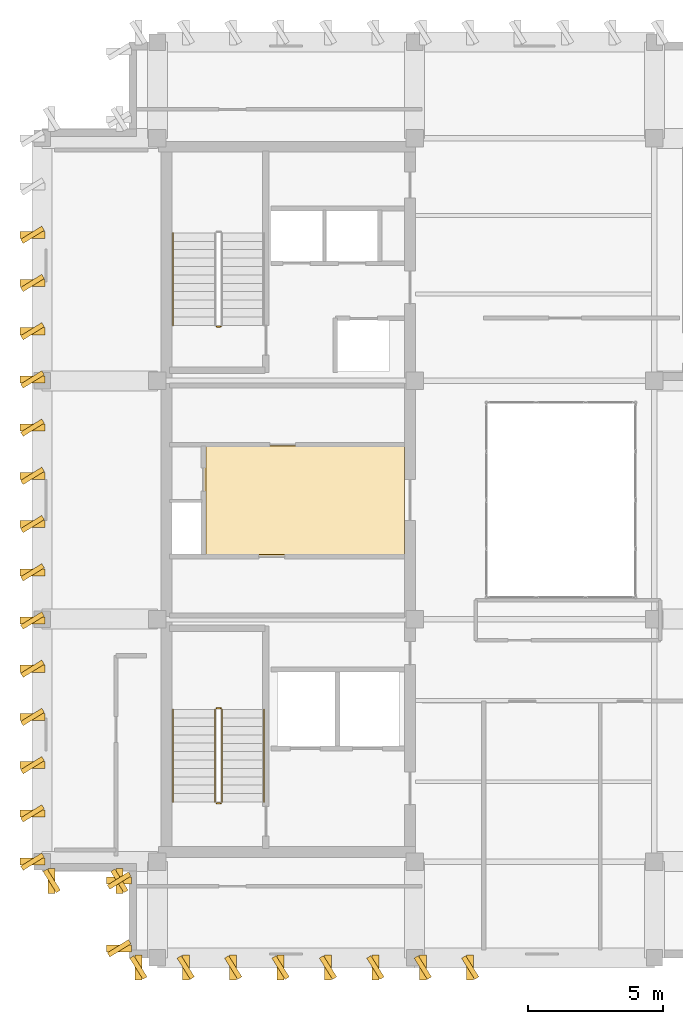
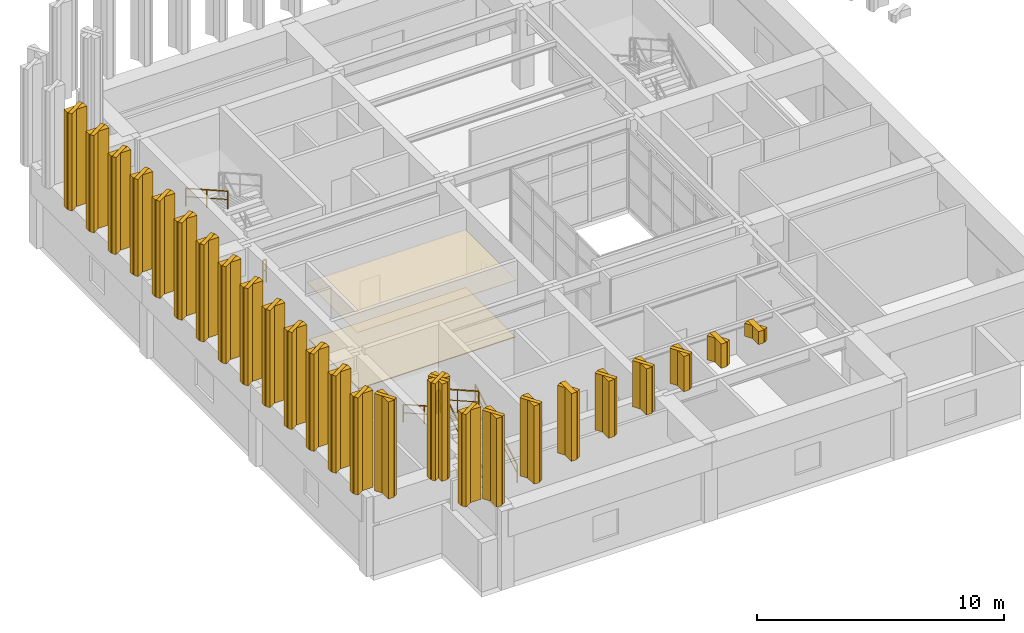
# One storey, part 9 of 11: 28 coverings, 26 shading devices, 8 railings.
"""IFC4 building model written with IfcOpenShell, lengths in metres."""

import ifcopenshell
import ifcopenshell.guid

model = None  # the IFC model being written
_history = None  # IfcOwnerHistory: only IFC2X3 demands one
_inside = {}  # id of a spatial element -> (the spatial element, [elements in it])
_under = {}  # id of a project, library or spatial element -> (it, [spatial elements below it])
_declared = {}  # id of a project -> (the project, [libraries it declares])
_typed = {}  # id of a type object -> (the type object, [elements of that type])
_made_of = {}  # id of a material, layer set ... -> (it, [elements and type objects made of it])


def new_model(schema):
    """Start an empty IFC model of exactly this schema.

    Asked for "IFC4X3", IfcOpenShell would pick the latest addendum, in which some entities
    have other attributes; the version numbers below select the first issue.
    IFC2X3 requires an IfcOwnerHistory on every rooted entity: one is made here for all.
    """
    global model, _history
    if schema == "IFC4X3":
        model = ifcopenshell.file(schema_version=(4, 3, 0, 0))
    else:
        model = ifcopenshell.file(schema=schema)
    _inside.clear()
    _under.clear()
    _declared.clear()
    _typed.clear()
    _made_of.clear()
    _history = None
    if model.schema == "IFC2X3":
        org = make("IfcOrganization", Name="unknown")
        user = make(
            "IfcPersonAndOrganization",
            ThePerson=make("IfcPerson", FamilyName="unknown"),
            TheOrganization=org,
        )
        app = make(
            "IfcApplication",
            ApplicationDeveloper=org,
            Version="unknown",
            ApplicationFullName="unknown",
            ApplicationIdentifier="unknown",
        )
        _history = make(
            "IfcOwnerHistory",
            OwningUser=user,
            OwningApplication=app,
            ChangeAction="ADDED",
            CreationDate=0,
        )
    return model


def make(cls, **values):
    """One entity of the class cls with the attributes given. An attribute that is None is left unset."""
    return model.create_entity(
        cls, **{name: value for name, value in values.items() if value is not None}
    )


def rooted(cls, **values):
    """An entity with a GlobalId (a new one), such as an element, a storey or a relation."""
    return make(cls, GlobalId=ifcopenshell.guid.new(), OwnerHistory=_history, **values)


def si_unit(unit_type, name, prefix=None):
    """IfcSIUnit, for example si_unit("LENGTHUNIT", "METRE", prefix="MILLI")."""
    return make("IfcSIUnit", UnitType=unit_type, Prefix=prefix, Name=name)


def assignment(units):
    """IfcUnitAssignment: the units of a project."""
    return None if units is None else make("IfcUnitAssignment", Units=units)


def point(xyz):
    """IfcCartesianPoint."""
    return None if xyz is None else make("IfcCartesianPoint", Coordinates=xyz)


def direction(xyz):
    """IfcDirection."""
    return None if xyz is None else make("IfcDirection", DirectionRatios=xyz)


def frame(location, z_axis=None, x_axis=None):
    """IfcAxis2Placement3D, a coordinate frame: its origin and axes. An axis left out is left unset."""
    return make(
        "IfcAxis2Placement3D",
        Location=point(location),
        Axis=direction(z_axis),
        RefDirection=direction(x_axis),
    )


def frame_2d(location, x_axis=None):
    """IfcAxis2Placement2D, a coordinate frame in the plane: its origin and x axis."""
    return make(
        "IfcAxis2Placement2D", Location=point(location), RefDirection=direction(x_axis)
    )


def origin():
    """The frame at (0, 0, 0) with its axes left unset."""
    return frame((0.0, 0.0, 0.0))


def origin_2d():
    """The frame at (0, 0) in the plane with its x axis left unset."""
    return frame_2d((0.0, 0.0))


def place(relative_to, where):
    """IfcLocalPlacement: puts the frame where relative to a parent placement (None: the world)."""
    return make(
        "IfcLocalPlacement", PlacementRelTo=relative_to, RelativePlacement=where
    )


def context(
    kind, dimensions, precision=None, world=None, true_north=None, identifier=None
):
    """IfcGeometricRepresentationContext, for example the 3D "Model" context."""
    return make(
        "IfcGeometricRepresentationContext",
        ContextIdentifier=identifier,
        ContextType=kind,
        CoordinateSpaceDimension=dimensions,
        Precision=precision,
        WorldCoordinateSystem=world,
        TrueNorth=true_north,
    )


def subcontext(parent, identifier, kind, view, scale=None):
    """IfcGeometricRepresentationSubContext, for example "Body" below "Model"."""
    return make(
        "IfcGeometricRepresentationSubContext",
        ContextIdentifier=identifier,
        ContextType=kind,
        ParentContext=parent,
        TargetScale=scale,
        TargetView=view,
    )


def project(units=None, contexts=None):
    """IfcProject with its units and contexts."""
    return rooted(
        "IfcProject",
        Name="project",
        RepresentationContexts=contexts,
        UnitsInContext=assignment(units),
    )


def spatial(cls, under=None, at=None, **own):
    """A site, building, storey or space (cls), placed at a placement, below another one or the project."""
    s = rooted(cls, ObjectPlacement=at, **own)
    if under is not None:
        _under.setdefault(under.id(), (under, []))[1].append(s)
    return s


def polyline(points):
    """IfcPolyline through the points."""
    return make("IfcPolyline", Points=[point(p) for p in points])


def profile(cls, at=None, kind="AREA", **sizes):
    """A parametric profile (cls). Its sizes go by their IFC names, for example OverallWidth=200.0."""
    return make(cls, ProfileType=kind, Position=at, **sizes)


def rectangle(**sizes):
    """IfcRectangleProfileDef."""
    return profile("IfcRectangleProfileDef", **sizes)


def outline(outer, holes=None, kind="AREA"):
    """IfcArbitraryClosedProfileDef: a profile drawn as a closed curve; with holes, ...WithVoids."""
    if holes is None:
        return make("IfcArbitraryClosedProfileDef", ProfileType=kind, OuterCurve=outer)
    return make(
        "IfcArbitraryProfileDefWithVoids",
        ProfileType=kind,
        OuterCurve=outer,
        InnerCurves=holes,
    )


def extrude(swept, where, along, depth):
    """IfcExtrudedAreaSolid: the profile swept, set in the frame where, extruded along a direction by depth."""
    return make(
        "IfcExtrudedAreaSolid",
        SweptArea=swept,
        Position=where,
        ExtrudedDirection=direction(along),
        Depth=depth,
    )


def shape(context_of_items, identifier, shape_type, items):
    """IfcShapeRepresentation: the items that make up one representation, for example the "Body"."""
    return make(
        "IfcShapeRepresentation",
        ContextOfItems=context_of_items,
        RepresentationIdentifier=identifier,
        RepresentationType=shape_type,
        Items=items,
    )


def material(Name=None, Category=None):
    """IfcMaterial."""
    return make("IfcMaterial", Name=Name, Category=Category)


def layer(
    of_material, thickness, ventilated=None, Name=None, Category=None, Priority=None
):
    """IfcMaterialLayer: one layer of a wall or slab, of a material (None: an air gap)."""
    return make(
        "IfcMaterialLayer",
        Material=of_material,
        LayerThickness=thickness,
        IsVentilated=ventilated,
        Name=Name,
        Category=Category,
        Priority=Priority,
    )


def layer_set(layers, Name=None):
    """IfcMaterialLayerSet."""
    return make("IfcMaterialLayerSet", MaterialLayers=layers, LayerSetName=Name)


def made_of(thing, what):
    """Note that an element or type object is made of a material, layer set ...; save() writes the relation."""
    if what is not None:
        _made_of.setdefault(what.id(), (what, []))[1].append(thing)
    return thing


def type_object(cls, material=None, **own):
    """A type object (cls), such as IfcWallType, which elements share."""
    return made_of(rooted(cls, **own), material)


def element(
    cls,
    number,
    at=None,
    inside=None,
    cuts=None,
    type_object=None,
    material=None,
    context=None,
    identifier="Body",
    shape_type=None,
    held_by="IfcProductDefinitionShape",
    body=None,
    shapes=None,
    **own,
):
    """One element of the class cls, such as IfcWall. Its Tag is "e" and its number.

    at: its placement. inside: the storey or other place that contains it. cuts: it is an
    opening in that element (IfcRelVoidsElement). A single representation is given by context,
    identifier, shape_type and body (its items); several are given by shapes. held_by: the class
    of the entity that holds the representations. save() writes the other relations.
    """
    e = rooted(cls, Tag="e%d" % number, ObjectPlacement=at, **own)
    if body is not None:
        shapes = [shape(context, identifier, shape_type, body)]
    if shapes is not None:
        e.Representation = make(held_by, Representations=shapes)
    if inside is not None:
        _inside.setdefault(inside.id(), (inside, []))[1].append(e)
    if cuts is not None:
        rooted(
            "IfcRelVoidsElement", RelatingBuildingElement=cuts, RelatedOpeningElement=e
        )
    if type_object is not None:
        _typed.setdefault(type_object.id(), (type_object, []))[1].append(e)
    return made_of(e, material)


def aggregate(whole, parts):
    """IfcRelAggregates: a whole, such as a stair, and the parts it consists of."""
    return rooted("IfcRelAggregates", RelatingObject=whole, RelatedObjects=parts)


def save(model, path):
    """Write the relations noted so far, then the file.

    IfcRelAggregates (storeys below a building ...), IfcRelContainedInSpatialStructure (elements
    in a storey), IfcRelDefinesByType, IfcRelAssociatesMaterial and IfcRelDeclares: one each for
    every whole, place, type object, material and project.
    """
    for whole, parts in _under.values():
        aggregate(whole, parts)
    for where, things in _inside.values():
        rooted(
            "IfcRelContainedInSpatialStructure",
            RelatedElements=things,
            RelatingStructure=where,
        )
    for kind, things in _typed.values():
        rooted("IfcRelDefinesByType", RelatedObjects=things, RelatingType=kind)
    for what, things in _made_of.values():
        rooted("IfcRelAssociatesMaterial", RelatedObjects=things, RelatingMaterial=what)
    for by, libraries in _declared.values():
        rooted("IfcRelDeclares", RelatingContext=by, RelatedDefinitions=libraries)
    model.write(path)


model = new_model("IFC4")

# Units and contexts
model_context = context("Model", 3, precision=1e-05, world=origin(), true_north=direction((0.0, 1.0)))
body_context = subcontext(model_context, "Body", "Model", "MODEL_VIEW")
ifc_project = project(units=[si_unit("LENGTHUNIT", "METRE"), si_unit("AREAUNIT", "SQUARE_METRE"), si_unit("VOLUMEUNIT", "CUBIC_METRE"), si_unit("PLANEANGLEUNIT", "RADIAN"), si_unit("MASSUNIT", "GRAM", prefix="KILO")], contexts=[model_context])

# Site, building, storey
site_placement = place(None, origin())
site = spatial("IfcSite", under=ifc_project, at=site_placement, CompositionType="ELEMENT")
building_placement = place(site_placement, origin())
building = spatial("IfcBuilding", under=site, at=building_placement, Name="Kundavana Baori Tower", CompositionType="ELEMENT")
storey_placement = place(building_placement, frame((0.0, 0.0, 350.5)))
storey = spatial("IfcBuildingStorey", under=building, at=storey_placement, Name="L87", CompositionType="ELEMENT", Elevation=350.5)

# Coverings
ifc_material_1 = material(Name="Honed Kota Stone and Terrazzo Flooring", Category="masonry")
ifc_layer_1 = layer(ifc_material_1, 0.0400390625, Name="COV-FLR-TERR-40")
ifc_layer_set_1 = layer_set([ifc_layer_1], Name="Honed Kota Stone and Terrazzo Flooring")
covering_type_1 = type_object("IfcCoveringType", Name="COV-FLR-TERR-40", PredefinedType="FLOORING", material=ifc_layer_set_1)
covering_1_placement = place(storey_placement, origin())
element("IfcCovering", 1, at=covering_1_placement, inside=storey, type_object=covering_type_1, Name="L87 Core Lift Lobby Kota Stone Flooring", PredefinedType="FLOORING", context=body_context, shape_type="SweptSolid", body=[
    extrude(outline(polyline([(17.25, 26.580078125), (24.580078125, 26.580078125), (24.580078125, 30.60009765625), (17.25, 30.60009765625), (17.25, 26.580078125)])), origin(), (0.0, 0.0, 1.0), 0.0400390625),
])
ifc_material_2 = material(Name="Perforated Acoustic Mineral Fibre Ceiling Board")
ifc_layer_2 = layer(ifc_material_2, 0.02490234375, Name="COV-INT-CEIL")
ifc_layer_set_2 = layer_set([ifc_layer_2], Name="Perforated Acoustic Mineral Fibre Ceiling Board")
covering_type_2 = type_object("IfcCoveringType", Name="COV-INT-CEIL", PredefinedType="CEILING", material=ifc_layer_set_2)
covering_2_placement = place(storey_placement, frame((0.0, 0.0, 2.85009765625)))
element("IfcCovering", 2, at=covering_2_placement, inside=storey, type_object=covering_type_2, Name="L87 Core Lift Lobby Acoustic Ceiling", PredefinedType="CEILING", context=body_context, shape_type="SweptSolid", body=[
    extrude(outline(polyline([(17.159912109375, 26.52001953125), (24.580078125, 26.52001953125), (24.580078125, 30.639892578125), (17.159912109375, 30.639892578125), (17.159912109375, 26.52001953125)])), origin(), (0.0, 0.0, 1.0), 0.02490234375),
])
ifc_material_3 = material(Name="Cream-White Makrana Limestone on Concrete C40/50", Category="masonry")
ifc_layer_3 = layer(ifc_material_3, 0.239990234375, Name="COV-SAIL-FIN")
ifc_layer_set_3 = layer_set([ifc_layer_3], Name="Cream-White Makrana Limestone on Concrete C40/50")
covering_type_3 = type_object("IfcCoveringType", Name="COV-SAIL-FIN", PredefinedType="CLADDING", material=ifc_layer_set_3)
covering_3_placement = place(storey_placement, frame((0.0, 0.0, 4.6240234375)))
element("IfcCovering", 3, at=covering_3_placement, inside=storey, type_object=covering_type_3, Name="L87 Climbing Makrana White Limestone Sail Fin 001", PredefinedType="CLADDING", context=body_context, shape_type="SweptSolid", body=[
    extrude(outline(polyline([(14.6201171875, 10.8798828125), (14.8798828125, 10.8798828125), (14.8798828125, 11.800048828125), (14.6201171875, 11.800048828125), (14.6201171875, 10.8798828125)])), origin(), (0.0, 0.0, 1.0), 4.3759765625),
])
covering_4_placement = place(storey_placement, frame((0.0, 0.0, 5.1396484375)))
element("IfcCovering", 4, at=covering_4_placement, inside=storey, type_object=covering_type_3, Name="L87 Climbing Makrana White Limestone Sail Fin 002", PredefinedType="CLADDING", context=body_context, shape_type="SweptSolid", body=[
    extrude(outline(polyline([(16.3701171875, 10.8798828125), (16.6298828125, 10.8798828125), (16.6298828125, 11.800048828125), (16.3701171875, 11.800048828125), (16.3701171875, 10.8798828125)])), origin(), (0.0, 0.0, 1.0), 3.8603515625),
])
covering_5_placement = place(storey_placement, frame((0.0, 0.0, 5.660400390625)))
element("IfcCovering", 5, at=covering_5_placement, inside=storey, type_object=covering_type_3, Name="L87 Climbing Makrana White Limestone Sail Fin 003", PredefinedType="CLADDING", context=body_context, shape_type="SweptSolid", body=[
    extrude(outline(polyline([(18.1201171875, 10.8798828125), (18.3798828125, 10.8798828125), (18.3798828125, 11.800048828125), (18.1201171875, 11.800048828125), (18.1201171875, 10.8798828125)])), origin(), (0.0, 0.0, 1.0), 3.339599609375),
])
covering_6_placement = place(storey_placement, frame((0.0, 0.0, 6.186767578125)))
element("IfcCovering", 6, at=covering_6_placement, inside=storey, type_object=covering_type_3, Name="L87 Climbing Makrana White Limestone Sail Fin 004", PredefinedType="CLADDING", context=body_context, shape_type="SweptSolid", body=[
    extrude(outline(polyline([(19.8701171875, 10.8798828125), (20.1298828125, 10.8798828125), (20.1298828125, 11.800048828125), (19.8701171875, 11.800048828125), (19.8701171875, 10.8798828125)])), origin(), (0.0, 0.0, 1.0), 2.813232421875),
])
covering_7_placement = place(storey_placement, frame((0.0, 0.0, 6.71923828125)))
element("IfcCovering", 7, at=covering_7_placement, inside=storey, type_object=covering_type_3, Name="L87 Climbing Makrana White Limestone Sail Fin 005", PredefinedType="CLADDING", context=body_context, shape_type="SweptSolid", body=[
    extrude(outline(polyline([(21.6201171875, 10.8798828125), (21.8798828125, 10.8798828125), (21.8798828125, 11.800048828125), (21.6201171875, 11.800048828125), (21.6201171875, 10.8798828125)])), origin(), (0.0, 0.0, 1.0), 2.28076171875),
])
covering_8_placement = place(storey_placement, frame((0.0, 0.0, 7.25830078125)))
element("IfcCovering", 8, at=covering_8_placement, inside=storey, type_object=covering_type_3, Name="L87 Climbing Makrana White Limestone Sail Fin 006", PredefinedType="CLADDING", context=body_context, shape_type="SweptSolid", body=[
    extrude(outline(polyline([(23.3701171875, 10.8798828125), (23.6298828125, 10.8798828125), (23.6298828125, 11.800048828125), (23.3701171875, 11.800048828125), (23.3701171875, 10.8798828125)])), origin(), (0.0, 0.0, 1.0), 1.74169921875),
])
covering_9_placement = place(storey_placement, frame((0.0, 0.0, 7.804931640625)))
element("IfcCovering", 9, at=covering_9_placement, inside=storey, type_object=covering_type_3, Name="L87 Climbing Makrana White Limestone Sail Fin 007", PredefinedType="CLADDING", context=body_context, shape_type="SweptSolid", body=[
    extrude(outline(polyline([(25.1201171875, 10.8798828125), (25.3798828125, 10.8798828125), (25.3798828125, 11.800048828125), (25.1201171875, 11.800048828125), (25.1201171875, 10.8798828125)])), origin(), (0.0, 0.0, 1.0), 1.195068359375),
])
covering_10_placement = place(storey_placement, frame((0.0, 0.0, 8.359619140625)))
element("IfcCovering", 10, at=covering_10_placement, inside=storey, type_object=covering_type_3, Name="L87 Climbing Makrana White Limestone Sail Fin 008", PredefinedType="CLADDING", context=body_context, shape_type="SweptSolid", body=[
    extrude(outline(polyline([(26.8701171875, 10.8798828125), (27.1298828125, 10.8798828125), (27.1298828125, 11.800048828125), (26.8701171875, 11.800048828125), (26.8701171875, 10.8798828125)])), origin(), (0.0, 0.0, 1.0), 0.640380859375),
])
covering_11_placement = place(storey_placement, frame((0.0, 0.0, 4.199951171875)))
element("IfcCovering", 11, at=covering_11_placement, inside=storey, type_object=covering_type_3, Name="L87 Climbing Makrana White Limestone Sail Fin 061", PredefinedType="CLADDING", context=body_context, shape_type="SweptSolid", body=[
    extrude(outline(polyline([(10.3798828125, 38.260009765625), (11.300048828125, 38.260009765625), (11.300048828125, 38.52001953125), (10.3798828125, 38.52001953125), (10.3798828125, 38.260009765625)])), origin(), (0.0, 0.0, 1.0), 4.800048828125),
])
covering_12_placement = place(storey_placement, frame((0.0, 0.0, 4.199951171875)))
element("IfcCovering", 12, at=covering_12_placement, inside=storey, type_object=covering_type_3, Name="L87 Climbing Makrana White Limestone Sail Fin 062", PredefinedType="CLADDING", context=body_context, shape_type="SweptSolid", body=[
    extrude(outline(polyline([(10.3798828125, 36.47998046875), (11.300048828125, 36.47998046875), (11.300048828125, 36.739990234375), (10.3798828125, 36.739990234375), (10.3798828125, 36.47998046875)])), origin(), (0.0, 0.0, 1.0), 4.800048828125),
])
covering_13_placement = place(storey_placement, frame((0.0, 0.0, 4.199951171875)))
element("IfcCovering", 13, at=covering_13_placement, inside=storey, type_object=covering_type_3, Name="L87 Climbing Makrana White Limestone Sail Fin 063", PredefinedType="CLADDING", context=body_context, shape_type="SweptSolid", body=[
    extrude(outline(polyline([(10.3798828125, 34.699951171875), (11.300048828125, 34.699951171875), (11.300048828125, 34.9599609375), (10.3798828125, 34.9599609375), (10.3798828125, 34.699951171875)])), origin(), (0.0, 0.0, 1.0), 4.800048828125),
])
covering_14_placement = place(storey_placement, frame((0.0, 0.0, 4.199951171875)))
element("IfcCovering", 14, at=covering_14_placement, inside=storey, type_object=covering_type_3, Name="L87 Climbing Makrana White Limestone Sail Fin 064", PredefinedType="CLADDING", context=body_context, shape_type="SweptSolid", body=[
    extrude(outline(polyline([(10.3798828125, 32.919921875), (11.300048828125, 32.919921875), (11.300048828125, 33.179931640625), (10.3798828125, 33.179931640625), (10.3798828125, 32.919921875)])), origin(), (0.0, 0.0, 1.0), 4.800048828125),
])
covering_15_placement = place(storey_placement, frame((0.0, 0.0, 4.199951171875)))
element("IfcCovering", 15, at=covering_15_placement, inside=storey, type_object=covering_type_3, Name="L87 Climbing Makrana White Limestone Sail Fin 065", PredefinedType="CLADDING", context=body_context, shape_type="SweptSolid", body=[
    extrude(outline(polyline([(10.3798828125, 31.139892578125), (11.300048828125, 31.139892578125), (11.300048828125, 31.39990234375), (10.3798828125, 31.39990234375), (10.3798828125, 31.139892578125)])), origin(), (0.0, 0.0, 1.0), 4.800048828125),
])
covering_16_placement = place(storey_placement, frame((0.0, 0.0, 4.199951171875)))
element("IfcCovering", 16, at=covering_16_placement, inside=storey, type_object=covering_type_3, Name="L87 Climbing Makrana White Limestone Sail Fin 066", PredefinedType="CLADDING", context=body_context, shape_type="SweptSolid", body=[
    extrude(outline(polyline([(10.3798828125, 29.360107421875), (11.300048828125, 29.360107421875), (11.300048828125, 29.6201171875), (10.3798828125, 29.6201171875), (10.3798828125, 29.360107421875)])), origin(), (0.0, 0.0, 1.0), 4.800048828125),
])
covering_17_placement = place(storey_placement, frame((0.0, 0.0, 4.199951171875)))
element("IfcCovering", 17, at=covering_17_placement, inside=storey, type_object=covering_type_3, Name="L87 Climbing Makrana White Limestone Sail Fin 067", PredefinedType="CLADDING", context=body_context, shape_type="SweptSolid", body=[
    extrude(outline(polyline([(10.3798828125, 27.580078125), (11.300048828125, 27.580078125), (11.300048828125, 27.840087890625), (10.3798828125, 27.840087890625), (10.3798828125, 27.580078125)])), origin(), (0.0, 0.0, 1.0), 4.800048828125),
])
covering_18_placement = place(storey_placement, frame((0.0, 0.0, 4.199951171875)))
element("IfcCovering", 18, at=covering_18_placement, inside=storey, type_object=covering_type_3, Name="L87 Climbing Makrana White Limestone Sail Fin 068", PredefinedType="CLADDING", context=body_context, shape_type="SweptSolid", body=[
    extrude(outline(polyline([(10.3798828125, 25.800048828125), (11.300048828125, 25.800048828125), (11.300048828125, 26.06005859375), (10.3798828125, 26.06005859375), (10.3798828125, 25.800048828125)])), origin(), (0.0, 0.0, 1.0), 4.800048828125),
])
covering_19_placement = place(storey_placement, frame((0.0, 0.0, 4.199951171875)))
element("IfcCovering", 19, at=covering_19_placement, inside=storey, type_object=covering_type_3, Name="L87 Climbing Makrana White Limestone Sail Fin 069", PredefinedType="CLADDING", context=body_context, shape_type="SweptSolid", body=[
    extrude(outline(polyline([(10.3798828125, 24.02001953125), (11.300048828125, 24.02001953125), (11.300048828125, 24.280029296875), (10.3798828125, 24.280029296875), (10.3798828125, 24.02001953125)])), origin(), (0.0, 0.0, 1.0), 4.800048828125),
])
covering_20_placement = place(storey_placement, frame((0.0, 0.0, 4.199951171875)))
element("IfcCovering", 20, at=covering_20_placement, inside=storey, type_object=covering_type_3, Name="L87 Climbing Makrana White Limestone Sail Fin 070", PredefinedType="CLADDING", context=body_context, shape_type="SweptSolid", body=[
    extrude(outline(polyline([(10.3798828125, 22.239990234375), (11.300048828125, 22.239990234375), (11.300048828125, 22.5), (10.3798828125, 22.5), (10.3798828125, 22.239990234375)])), origin(), (0.0, 0.0, 1.0), 4.800048828125),
])
covering_21_placement = place(storey_placement, frame((0.0, 0.0, 4.199951171875)))
element("IfcCovering", 21, at=covering_21_placement, inside=storey, type_object=covering_type_3, Name="L87 Climbing Makrana White Limestone Sail Fin 071", PredefinedType="CLADDING", context=body_context, shape_type="SweptSolid", body=[
    extrude(outline(polyline([(10.3798828125, 20.4599609375), (11.300048828125, 20.4599609375), (11.300048828125, 20.719970703125), (10.3798828125, 20.719970703125), (10.3798828125, 20.4599609375)])), origin(), (0.0, 0.0, 1.0), 4.800048828125),
])
covering_22_placement = place(storey_placement, frame((0.0, 0.0, 4.199951171875)))
element("IfcCovering", 22, at=covering_22_placement, inside=storey, type_object=covering_type_3, Name="L87 Climbing Makrana White Limestone Sail Fin 072", PredefinedType="CLADDING", context=body_context, shape_type="SweptSolid", body=[
    extrude(outline(polyline([(10.3798828125, 18.679931640625), (11.300048828125, 18.679931640625), (11.300048828125, 18.93994140625), (10.3798828125, 18.93994140625), (10.3798828125, 18.679931640625)])), origin(), (0.0, 0.0, 1.0), 4.800048828125),
])
covering_23_placement = place(storey_placement, frame((0.0, 0.0, 4.199951171875)))
element("IfcCovering", 23, at=covering_23_placement, inside=storey, type_object=covering_type_3, Name="L87 Climbing Makrana White Limestone Sail Fin 073", PredefinedType="CLADDING", context=body_context, shape_type="SweptSolid", body=[
    extrude(outline(polyline([(10.3798828125, 16.89990234375), (11.300048828125, 16.89990234375), (11.300048828125, 17.159912109375), (10.3798828125, 17.159912109375), (10.3798828125, 16.89990234375)])), origin(), (0.0, 0.0, 1.0), 4.800048828125),
])
covering_24_placement = place(storey_placement, frame((0.0, 0.0, 4.199951171875)))
element("IfcCovering", 24, at=covering_24_placement, inside=storey, type_object=covering_type_3, Name="L87 Climbing Makrana White Limestone Sail Fin 074", PredefinedType="CLADDING", context=body_context, shape_type="SweptSolid", body=[
    extrude(outline(polyline([(10.3798828125, 15.1201171875), (11.300048828125, 15.1201171875), (11.300048828125, 15.3798828125), (10.3798828125, 15.3798828125), (10.3798828125, 15.1201171875)])), origin(), (0.0, 0.0, 1.0), 4.800048828125),
])
covering_25_placement = place(storey_placement, frame((0.0, 0.0, 4.199951171875)))
element("IfcCovering", 25, at=covering_25_placement, inside=storey, type_object=covering_type_3, Name="L87 Climbing Makrana White Limestone Sail Fin 075", PredefinedType="CLADDING", context=body_context, shape_type="SweptSolid", body=[
    extrude(outline(polyline([(11.419921875, 14.080078125), (11.679931640625, 14.080078125), (11.679931640625, 15.0), (11.419921875, 15.0), (11.419921875, 14.080078125)])), origin(), (0.0, 0.0, 1.0), 4.800048828125),
])
covering_26_placement = place(storey_placement, frame((0.0, 0.0, 4.199951171875)))
element("IfcCovering", 26, at=covering_26_placement, inside=storey, type_object=covering_type_3, Name="L87 Climbing Makrana White Limestone Sail Fin 076", PredefinedType="CLADDING", context=body_context, shape_type="SweptSolid", body=[
    extrude(outline(polyline([(13.919921875, 14.080078125), (14.179931640625, 14.080078125), (14.179931640625, 15.0), (13.919921875, 15.0), (13.919921875, 14.080078125)])), origin(), (0.0, 0.0, 1.0), 4.800048828125),
])
covering_27_placement = place(storey_placement, frame((0.0, 0.0, 4.199951171875)))
element("IfcCovering", 27, at=covering_27_placement, inside=storey, type_object=covering_type_3, Name="L87 Climbing Makrana White Limestone Sail Fin 077", PredefinedType="CLADDING", context=body_context, shape_type="SweptSolid", body=[
    extrude(outline(polyline([(13.580078125, 14.419921875), (14.5, 14.419921875), (14.5, 14.679931640625), (13.580078125, 14.679931640625), (13.580078125, 14.419921875)])), origin(), (0.0, 0.0, 1.0), 4.800048828125),
])
covering_28_placement = place(storey_placement, frame((0.0, 0.0, 4.42578125)))
element("IfcCovering", 28, at=covering_28_placement, inside=storey, type_object=covering_type_3, Name="L87 Climbing Makrana White Limestone Sail Fin 078", PredefinedType="CLADDING", context=body_context, shape_type="SweptSolid", body=[
    extrude(outline(polyline([(13.580078125, 11.919921875), (14.5, 11.919921875), (14.5, 12.179931640625), (13.580078125, 12.179931640625), (13.580078125, 11.919921875)])), origin(), (0.0, 0.0, 1.0), 4.57421875),
])

# Railings
ifc_material_4 = material(Name="Architectural Patinated Bronze Metalwork")
railing_type_1 = type_object("IfcRailingType", Name="RL-GRD-1150", PredefinedType="GUARDRAIL", material=ifc_material_4)
railing_1_placement = place(storey_placement, frame((17.840087890625, 17.449951171875, 0.175048828125)))
element("IfcRailing", 29, at=railing_1_placement, inside=storey, type_object=railing_type_1, Name="L87 ST1 stair guard 1", PredefinedType="GUARDRAIL", context=body_context, shape_type="SweptSolid", body=[
    extrude(rectangle(XDim=0.048095703125, YDim=0.048095703125, at=origin_2d()), frame((0.0, 0.0, 1.1259765625), z_axis=(0.0, 0.870828613776, 0.491586742528), x_axis=(-1.0, 0.0, 0.0)), (0.0, 0.0, 1.0), 3.916015625),
    extrude(rectangle(XDim=0.03125, YDim=0.03125, at=origin_2d()), frame((0.0, 0.0, 0.597900390625), z_axis=(0.0, 0.870828613776, 0.491586742528), x_axis=(-1.0, 0.0, 0.0)), (0.0, 0.0, 1.0), 3.916015625),
    extrude(rectangle(XDim=0.0419921875, YDim=0.0419921875, at=origin_2d()), origin(), (0.0, 0.0, 1.0), 1.101806640625),
    extrude(rectangle(XDim=0.0419921875, YDim=0.0419921875, at=origin_2d()), frame((0.0, 1.705078125, 0.96240234375)), (0.0, 0.0, 1.0), 1.101806640625),
    extrude(rectangle(XDim=0.0419921875, YDim=0.0419921875, at=origin_2d()), frame((0.0, 3.41015625, 1.925048828125)), (0.0, 0.0, 1.0), 1.101806640625),
])
railing_2_placement = place(storey_placement, frame((17.7900390625, 20.909912109375, 2.10009765625)))
element("IfcRailing", 30, at=railing_2_placement, inside=storey, type_object=railing_type_1, Name="L87 ST1 stair guard 2", PredefinedType="GUARDRAIL", context=body_context, shape_type="SweptSolid", body=[
    extrude(rectangle(XDim=0.048095703125, YDim=0.048095703125, at=origin_2d()), frame((0.0, 0.0, 1.1259765625), z_axis=(-1.0, 0.0, 0.0), x_axis=(0.0, -1.0, 0.0)), (0.0, 0.0, 1.0), 0.16015625),
    extrude(rectangle(XDim=0.03125, YDim=0.03125, at=origin_2d()), frame((0.0, 0.0, 0.597900390625), z_axis=(-1.0, 0.0, 0.0), x_axis=(0.0, -1.0, 0.0)), (0.0, 0.0, 1.0), 0.16015625),
    extrude(rectangle(XDim=0.0419921875, YDim=0.0419921875, at=origin_2d()), origin(), (0.0, 0.0, 1.0), 1.101806640625),
    extrude(rectangle(XDim=0.0419921875, YDim=0.0419921875, at=origin_2d()), frame((-0.16015625, 0.0, 0.0)), (0.0, 0.0, 1.0), 1.101806640625),
])
railing_3_placement = place(storey_placement, frame((17.580078125, 20.860107421875, 2.27490234375)))
element("IfcRailing", 31, at=railing_3_placement, inside=storey, type_object=railing_type_1, Name="L87 ST1 stair guard 3", PredefinedType="GUARDRAIL", context=body_context, shape_type="SweptSolid", body=[
    extrude(rectangle(XDim=0.048095703125, YDim=0.048095703125, at=origin_2d()), frame((0.0, 0.0, 1.1259765625), z_axis=(0.0, -0.870828613776, 0.491586742528), x_axis=(1.0, 0.0, 0.0)), (0.0, 0.0, 1.0), 3.916015625),
    extrude(rectangle(XDim=0.03125, YDim=0.03125, at=origin_2d()), frame((0.0, 0.0, 0.597900390625), z_axis=(0.0, -0.870828613776, 0.491586742528), x_axis=(1.0, 0.0, 0.0)), (0.0, 0.0, 1.0), 3.916015625),
    extrude(rectangle(XDim=0.0419921875, YDim=0.0419921875, at=origin_2d()), origin(), (0.0, 0.0, 1.0), 1.101806640625),
    extrude(rectangle(XDim=0.0419921875, YDim=0.0419921875, at=origin_2d()), frame((0.0, -1.705078125, 0.96240234375)), (0.0, 0.0, 1.0), 1.101806640625),
    extrude(rectangle(XDim=0.0419921875, YDim=0.0419921875, at=origin_2d()), frame((0.0, -3.41015625, 1.925048828125)), (0.0, 0.0, 1.0), 1.101806640625),
])
for number, where, name in (
    (32, (17.7900390625, 17.39990234375, 0.0), "L87 ST1 stair guard 4"),
    (33, (17.7900390625, 35.0, 0.0), "L87 ST2 stair guard 4"),
):
    element("IfcRailing", number, at=place(storey_placement, frame(where)), inside=storey, type_object=railing_type_1, Name=name, PredefinedType="GUARDRAIL", context=body_context, shape_type="SweptSolid", body=[
        extrude(rectangle(XDim=0.048095703125, YDim=0.048095703125, at=origin_2d()), frame((0.0, 0.0, 1.1259765625), z_axis=(-1.0, 0.0, 0.0), x_axis=(0.0, -1.0, 0.0)), (0.0, 0.0, 1.0), 0.16015625),
        extrude(rectangle(XDim=0.03125, YDim=0.03125, at=origin_2d()), frame((0.0, 0.0, 0.597900390625), z_axis=(-1.0, 0.0, 0.0), x_axis=(0.0, -1.0, 0.0)), (0.0, 0.0, 1.0), 0.16015625),
        extrude(rectangle(XDim=0.0419921875, YDim=0.0419921875, at=origin_2d()), origin(), (0.0, 0.0, 1.0), 1.101806640625),
        extrude(rectangle(XDim=0.0419921875, YDim=0.0419921875, at=origin_2d()), frame((-0.16015625, 0.0, 0.0)), (0.0, 0.0, 1.0), 1.101806640625),
    ])
ifc_material_5 = material(Name="Architectural Patinated Bronze Metalwork")
railing_type_2 = type_object("IfcRailingType", Name="RL-HND-920", PredefinedType="HANDRAIL", material=ifc_material_5)
railing_4_placement = place(storey_placement, frame((19.389892578125, 17.449951171875, 0.175048828125)))
element("IfcRailing", 34, at=railing_4_placement, inside=storey, type_object=railing_type_2, Name="L87 ST1 stair handrail 1", PredefinedType="HANDRAIL", context=body_context, shape_type="SweptSolid", body=[
    extrude(rectangle(XDim=0.048095703125, YDim=0.048095703125, at=origin_2d()), frame((0.0, 0.0, 0.8759765625), z_axis=(0.0, 0.870828613776, 0.491586742528), x_axis=(-1.0, 0.0, 0.0)), (0.0, 0.0, 1.0), 3.916015625),
    extrude(rectangle(XDim=0.03125, YDim=0.03125, at=origin_2d()), frame((0.0, 0.0, 0.468017578125), z_axis=(0.0, 0.870828613776, 0.491586742528), x_axis=(-1.0, 0.0, 0.0)), (0.0, 0.0, 1.0), 3.916015625),
    extrude(rectangle(XDim=0.0419921875, YDim=0.0419921875, at=origin_2d()), origin(), (0.0, 0.0, 1.0), 0.851806640625),
    extrude(rectangle(XDim=0.0419921875, YDim=0.0419921875, at=origin_2d()), frame((0.0, 1.705078125, 0.96240234375)), (0.0, 0.0, 1.0), 0.851806640625),
    extrude(rectangle(XDim=0.0419921875, YDim=0.0419921875, at=origin_2d()), frame((0.0, 3.41015625, 1.925048828125)), (0.0, 0.0, 1.0), 0.851806640625),
])
railing_5_placement = place(storey_placement, frame((16.030029296875, 20.860107421875, 2.27490234375)))
element("IfcRailing", 35, at=railing_5_placement, inside=storey, type_object=railing_type_2, Name="L87 ST1 stair handrail 2", PredefinedType="HANDRAIL", context=body_context, shape_type="SweptSolid", body=[
    extrude(rectangle(XDim=0.048095703125, YDim=0.048095703125, at=origin_2d()), frame((0.0, 0.0, 0.8759765625), z_axis=(0.0, -0.870828613776, 0.491586742528), x_axis=(1.0, 0.0, 0.0)), (0.0, 0.0, 1.0), 3.916015625),
    extrude(rectangle(XDim=0.03125, YDim=0.03125, at=origin_2d()), frame((0.0, 0.0, 0.468017578125), z_axis=(0.0, -0.870828613776, 0.491586742528), x_axis=(1.0, 0.0, 0.0)), (0.0, 0.0, 1.0), 3.916015625),
    extrude(rectangle(XDim=0.0419921875, YDim=0.0419921875, at=origin_2d()), origin(), (0.0, 0.0, 1.0), 0.851806640625),
    extrude(rectangle(XDim=0.0419921875, YDim=0.0419921875, at=origin_2d()), frame((0.0, -1.705078125, 0.96240234375)), (0.0, 0.0, 1.0), 0.851806640625),
    extrude(rectangle(XDim=0.0419921875, YDim=0.0419921875, at=origin_2d()), frame((0.0, -3.41015625, 1.925048828125)), (0.0, 0.0, 1.0), 0.851806640625),
])
railing_6_placement = place(storey_placement, frame((16.030029296875, 38.4599609375, 2.27490234375)))
element("IfcRailing", 36, at=railing_6_placement, inside=storey, type_object=railing_type_2, Name="L87 ST2 stair handrail 2", PredefinedType="HANDRAIL", context=body_context, shape_type="SweptSolid", body=[
    extrude(rectangle(XDim=0.048095703125, YDim=0.048095703125, at=origin_2d()), frame((0.0, 0.0, 0.8759765625), z_axis=(0.0, -0.87081354652, 0.491613432685), x_axis=(1.0, 0.0, 0.0)), (0.0, 0.0, 1.0), 3.915771484375),
    extrude(rectangle(XDim=0.03125, YDim=0.03125, at=origin_2d()), frame((0.0, 0.0, 0.468017578125), z_axis=(0.0, -0.87081354652, 0.491613432685), x_axis=(1.0, 0.0, 0.0)), (0.0, 0.0, 1.0), 3.915771484375),
    extrude(rectangle(XDim=0.0419921875, YDim=0.0419921875, at=origin_2d()), origin(), (0.0, 0.0, 1.0), 0.851806640625),
    extrude(rectangle(XDim=0.0419921875, YDim=0.0419921875, at=origin_2d()), frame((0.0, -1.705078125, 0.96240234375)), (0.0, 0.0, 1.0), 0.851806640625),
    extrude(rectangle(XDim=0.0419921875, YDim=0.0419921875, at=origin_2d()), frame((0.0, -3.409912109375, 1.925048828125)), (0.0, 0.0, 1.0), 0.851806640625),
])

# Shading devices
ifc_material_6 = material(Name="Red-Buff Dholpur Sandstone Cladding on Concrete C40/50", Category="masonry")
shading_device_type = type_object("IfcShadingDeviceType", Name="SHD-FIN-920", PredefinedType="JALOUSIE", material=ifc_material_6)
shading_device_1_placement = place(storey_placement, frame((14.75, 11.340087890625, 4.6240234375), z_axis=(0.0, 0.0, 1.0), x_axis=(0.848048096156, 0.529919264233, 0.0)))
element("IfcShadingDevice", 37, at=shading_device_1_placement, inside=storey, type_object=shading_device_type, Name="L87 Sweeping Makrana Limestone Crown Sail Blade 001", PredefinedType="JALOUSIE", context=body_context, shape_type="SweptSolid", body=[
    extrude(rectangle(XDim=0.179931640625, YDim=0.919921875, at=origin_2d()), origin(), (0.0, 0.0, 1.0), 4.3759765625),
])
shading_device_2_placement = place(storey_placement, frame((16.5, 11.340087890625, 5.1396484375), z_axis=(0.0, 0.0, 1.0), x_axis=(0.848048096156, 0.529919264233, 0.0)))
element("IfcShadingDevice", 38, at=shading_device_2_placement, inside=storey, type_object=shading_device_type, Name="L87 Sweeping Makrana Limestone Crown Sail Blade 002", PredefinedType="JALOUSIE", context=body_context, shape_type="SweptSolid", body=[
    extrude(rectangle(XDim=0.179931640625, YDim=0.919921875, at=origin_2d()), origin(), (0.0, 0.0, 1.0), 3.8603515625),
])
shading_device_3_placement = place(storey_placement, frame((18.25, 11.340087890625, 5.66015625), z_axis=(0.0, 0.0, 1.0), x_axis=(0.848048096156, 0.529919264233, 0.0)))
element("IfcShadingDevice", 39, at=shading_device_3_placement, inside=storey, type_object=shading_device_type, Name="L87 Sweeping Makrana Limestone Crown Sail Blade 003", PredefinedType="JALOUSIE", context=body_context, shape_type="SweptSolid", body=[
    extrude(rectangle(XDim=0.179931640625, YDim=0.919921875, at=origin_2d()), origin(), (0.0, 0.0, 1.0), 3.339599609375),
])
shading_device_4_placement = place(storey_placement, frame((20.0, 11.340087890625, 6.18701171875), z_axis=(0.0, 0.0, 1.0), x_axis=(0.848048096156, 0.529919264233, 0.0)))
element("IfcShadingDevice", 40, at=shading_device_4_placement, inside=storey, type_object=shading_device_type, Name="L87 Sweeping Makrana Limestone Crown Sail Blade 004", PredefinedType="JALOUSIE", context=body_context, shape_type="SweptSolid", body=[
    extrude(rectangle(XDim=0.179931640625, YDim=0.919921875, at=origin_2d()), origin(), (0.0, 0.0, 1.0), 2.813232421875),
])
shading_device_5_placement = place(storey_placement, frame((21.75, 11.340087890625, 6.71923828125), z_axis=(0.0, 0.0, 1.0), x_axis=(0.848048096156, 0.529919264233, 0.0)))
element("IfcShadingDevice", 41, at=shading_device_5_placement, inside=storey, type_object=shading_device_type, Name="L87 Sweeping Makrana Limestone Crown Sail Blade 005", PredefinedType="JALOUSIE", context=body_context, shape_type="SweptSolid", body=[
    extrude(rectangle(XDim=0.179931640625, YDim=0.919921875, at=origin_2d()), origin(), (0.0, 0.0, 1.0), 2.28076171875),
])
shading_device_6_placement = place(storey_placement, frame((23.5, 11.340087890625, 7.25830078125), z_axis=(0.0, 0.0, 1.0), x_axis=(0.848048096156, 0.529919264233, 0.0)))
element("IfcShadingDevice", 42, at=shading_device_6_placement, inside=storey, type_object=shading_device_type, Name="L87 Sweeping Makrana Limestone Crown Sail Blade 006", PredefinedType="JALOUSIE", context=body_context, shape_type="SweptSolid", body=[
    extrude(rectangle(XDim=0.179931640625, YDim=0.919921875, at=origin_2d()), origin(), (0.0, 0.0, 1.0), 1.74169921875),
])
shading_device_7_placement = place(storey_placement, frame((25.25, 11.340087890625, 7.8046875), z_axis=(0.0, 0.0, 1.0), x_axis=(0.848048096156, 0.529919264233, 0.0)))
element("IfcShadingDevice", 43, at=shading_device_7_placement, inside=storey, type_object=shading_device_type, Name="L87 Sweeping Makrana Limestone Crown Sail Blade 007", PredefinedType="JALOUSIE", context=body_context, shape_type="SweptSolid", body=[
    extrude(rectangle(XDim=0.179931640625, YDim=0.919921875, at=origin_2d()), origin(), (0.0, 0.0, 1.0), 1.195068359375),
])
shading_device_8_placement = place(storey_placement, frame((27.0, 11.340087890625, 8.359375), z_axis=(0.0, 0.0, 1.0), x_axis=(0.848048096156, 0.529919264233, 0.0)))
element("IfcShadingDevice", 44, at=shading_device_8_placement, inside=storey, type_object=shading_device_type, Name="L87 Sweeping Makrana Limestone Crown Sail Blade 008", PredefinedType="JALOUSIE", context=body_context, shape_type="SweptSolid", body=[
    extrude(rectangle(XDim=0.179931640625, YDim=0.919921875, at=origin_2d()), origin(), (0.0, 0.0, 1.0), 0.640380859375),
])
for number, where, z_axis, x_axis, name in (
    (45, (10.840087890625, 38.389892578125, 4.2001953125), (0.0, 0.0, 1.0), (-0.529919264233, 0.848048096156, 0.0), "L87 Sweeping Makrana Limestone Crown Sail Blade 061"),
    (46, (10.840087890625, 36.610107421875, 4.2001953125), (0.0, 0.0, 1.0), (-0.529919264233, 0.848048096156, 0.0), "L87 Sweeping Makrana Limestone Crown Sail Blade 062"),
    (47, (10.840087890625, 34.830078125, 4.2001953125), (0.0, 0.0, 1.0), (-0.529919264233, 0.848048096156, 0.0), "L87 Sweeping Makrana Limestone Crown Sail Blade 063"),
    (48, (10.840087890625, 33.050048828125, 4.2001953125), (0.0, 0.0, 1.0), (-0.529919264233, 0.848048096156, 0.0), "L87 Sweeping Makrana Limestone Crown Sail Blade 064"),
    (49, (10.840087890625, 31.27001953125, 4.2001953125), (0.0, 0.0, 1.0), (-0.529919264233, 0.848048096156, 0.0), "L87 Sweeping Makrana Limestone Crown Sail Blade 065"),
    (50, (10.840087890625, 29.489990234375, 4.2001953125), (0.0, 0.0, 1.0), (-0.529919264233, 0.848048096156, 0.0), "L87 Sweeping Makrana Limestone Crown Sail Blade 066"),
    (51, (10.840087890625, 27.7099609375, 4.2001953125), (0.0, 0.0, 1.0), (-0.529919264233, 0.848048096156, 0.0), "L87 Sweeping Makrana Limestone Crown Sail Blade 067"),
    (52, (10.840087890625, 25.929931640625, 4.2001953125), (0.0, 0.0, 1.0), (-0.529919264233, 0.848048096156, 0.0), "L87 Sweeping Makrana Limestone Crown Sail Blade 068"),
    (53, (10.840087890625, 24.14990234375, 4.2001953125), (0.0, 0.0, 1.0), (-0.529919264233, 0.848048096156, 0.0), "L87 Sweeping Makrana Limestone Crown Sail Blade 069"),
    (54, (10.840087890625, 22.3701171875, 4.2001953125), (0.0, 0.0, 1.0), (-0.529919264233, 0.848048096156, 0.0), "L87 Sweeping Makrana Limestone Crown Sail Blade 070"),
    (55, (10.840087890625, 20.590087890625, 4.2001953125), (0.0, 0.0, 1.0), (-0.529919264233, 0.848048096156, 0.0), "L87 Sweeping Makrana Limestone Crown Sail Blade 071"),
    (56, (10.840087890625, 18.81005859375, 4.2001953125), (0.0, 0.0, 1.0), (-0.529919264233, 0.848048096156, 0.0), "L87 Sweeping Makrana Limestone Crown Sail Blade 072"),
    (57, (10.840087890625, 17.030029296875, 4.2001953125), (0.0, 0.0, 1.0), (-0.529919264233, 0.848048096156, 0.0), "L87 Sweeping Makrana Limestone Crown Sail Blade 073"),
    (58, (10.840087890625, 15.25, 4.2001953125), (0.0, 0.0, 1.0), (-0.529919264233, 0.848048096156, 0.0), "L87 Sweeping Makrana Limestone Crown Sail Blade 074"),
    (59, (11.550048828125, 14.5400390625, 4.2001953125), (0.0, 0.0, 1.0), (0.848048096156, 0.529919264233, 0.0), "L87 Sweeping Makrana Limestone Crown Sail Blade 075"),
    (60, (14.050048828125, 14.5400390625, 4.2001953125), (0.0, 0.0, 1.0), (0.848048096156, 0.529919264233, 0.0), "L87 Sweeping Makrana Limestone Crown Sail Blade 076"),
    (61, (14.0400390625, 14.550048828125, 4.2001953125), (0.0, 0.0, 1.0), (-0.529919264233, 0.848048096156, 0.0), "L87 Sweeping Makrana Limestone Crown Sail Blade 077"),
):
    element("IfcShadingDevice", number, at=place(storey_placement, frame(where, z_axis=z_axis, x_axis=x_axis)), inside=storey, type_object=shading_device_type, Name=name, PredefinedType="JALOUSIE", context=body_context, shape_type="SweptSolid", body=[
        extrude(rectangle(XDim=0.179931640625, YDim=0.919921875, at=origin_2d()), origin(), (0.0, 0.0, 1.0), 4.800048828125),
    ])
shading_device_9_placement = place(storey_placement, frame((14.0400390625, 12.050048828125, 4.42578125), z_axis=(0.0, 0.0, 1.0), x_axis=(-0.529919264233, 0.848048096156, 0.0)))
element("IfcShadingDevice", 62, at=shading_device_9_placement, inside=storey, type_object=shading_device_type, Name="L87 Sweeping Makrana Limestone Crown Sail Blade 078", PredefinedType="JALOUSIE", context=body_context, shape_type="SweptSolid", body=[
    extrude(rectangle(XDim=0.179931640625, YDim=0.919921875, at=origin_2d()), origin(), (0.0, 0.0, 1.0), 4.57421875),
])

save(model, "model.ifc")
